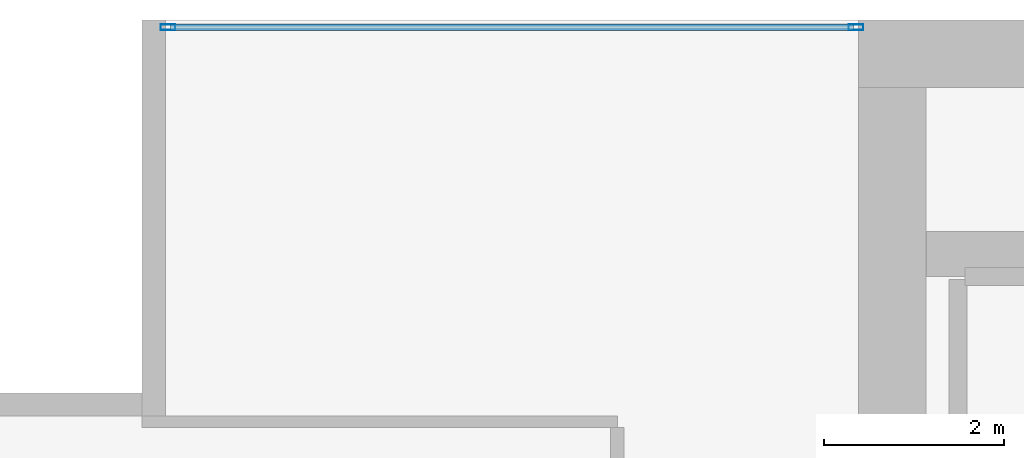
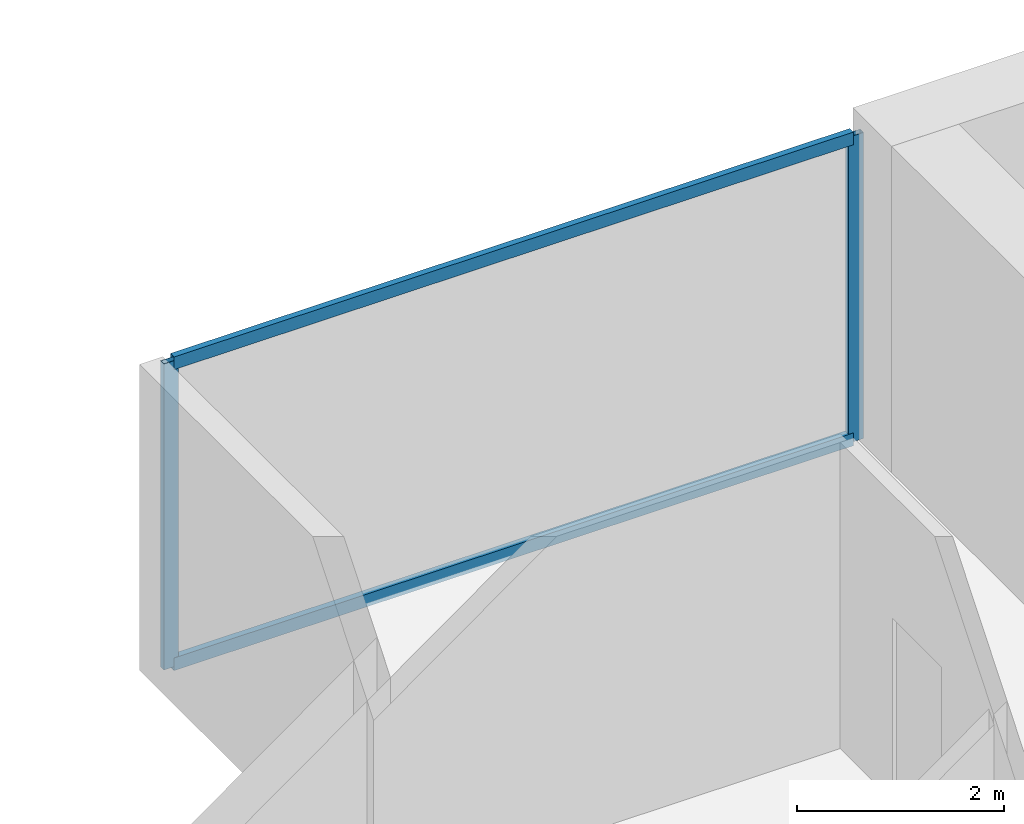
# One storey, part 22 of 34: 4 members, 1 element without a shape of its own.
"""IFC4 building model written with IfcOpenShell, lengths in metres."""

from ifc_helpers import new_model, si_unit, direction, frame, origin, origin_2d, place, context, subcontext, project, spatial, hollow_rectangle, extrude, material, layer, layer_set, material_profile, profile_set, type_object, element, aggregate, save


model = new_model("IFC4")

# Units and contexts
model_context = context("Model", 3, precision=1e-05, world=origin(), true_north=direction((0.0, 1.0)))
body_context = subcontext(model_context, "Body", "Model", "MODEL_VIEW")
ifc_project = project(units=[si_unit("LENGTHUNIT", "METRE"), si_unit("AREAUNIT", "SQUARE_METRE"), si_unit("VOLUMEUNIT", "CUBIC_METRE"), si_unit("PLANEANGLEUNIT", "RADIAN"), si_unit("MASSUNIT", "GRAM", prefix="KILO")], contexts=[model_context])

# Site, building, storey
site_placement = place(None, origin())
site = spatial("IfcSite", under=ifc_project, at=site_placement, CompositionType="ELEMENT")
building_placement = place(site_placement, origin())
building = spatial("IfcBuilding", under=site, at=building_placement, Name="Maruvema Waterfront Hotel and Observation Tower", CompositionType="ELEMENT")
storey_placement = place(building_placement, frame((0.0, 0.0, 215.949951171875)))
storey = spatial("IfcBuildingStorey", under=building, at=storey_placement, Name="L53", CompositionType="ELEMENT", Elevation=215.949951171875)

# Curtain wall, members
ifc_material_1 = material(Name="Anodised bronze aluminium and solar-control low-E IGU", Category="aluminium")
ifc_layer = layer(ifc_material_1, 0.159912109375, Name="Zone 2 Amber Inner Thermal Curtain Wall System CW-03")
ifc_layer_set = layer_set([ifc_layer], Name="Anodised bronze aluminium and solar-control low-E IGU")
curtain_wall_type = type_object("IfcCurtainWallType", Name="Zone 2 Amber Inner Thermal Curtain Wall System CW-03", PredefinedType="USERDEFINED", material=ifc_layer_set)
curtain_wall_placement = place(storey_placement, origin())
curtain_wall = element("IfcCurtainWall", 1, at=curtain_wall_placement, inside=storey, type_object=curtain_wall_type, Name="L53 Curtain Wall CW-L53-NW", ObjectType="UNITISED CURTAIN WALL", PredefinedType="USERDEFINED")
ifc_material_2 = material(Name="Anodised architectural bronze aluminium", Category="aluminium")
ifc_material_profile_1 = material_profile(ifc_material_2, hollow_rectangle(XDim=0.070068359375, YDim=0.14990234375, WallThickness=0.00390625, at=origin_2d()), Name="ALU-T70x150")
ifc_profile_set_1 = profile_set([ifc_material_profile_1], Name="Anodised architectural bronze aluminium")
member_type_1 = type_object("IfcMemberType", Name="Curtain Wall Horizontal Transom ALU-T70x150", PredefinedType="USERDEFINED", material=ifc_profile_set_1)
member_1_placement = place(storey_placement, frame((25.139892578125, 53.919921875, 0.030029296875), z_axis=(-1.0, 0.0, 0.0), x_axis=(0.0, -1.0, 0.0)))
member_1 = element("IfcMember", 2, at=member_1_placement, type_object=member_type_1, Name="CW-03 transom 1.1", ObjectType="TRANSOM", PredefinedType="USERDEFINED", context=body_context, shape_type="SweptSolid", body=[
    extrude(hollow_rectangle(XDim=0.070068359375, YDim=0.14990234375, WallThickness=0.00390625, at=origin_2d()), origin(), (0.0, 0.0, 1.0), 7.579833984375),
])
member_2_placement = place(storey_placement, frame((25.139892578125, 53.919921875, 3.580078125), z_axis=(-1.0, 0.0, 0.0), x_axis=(0.0, -1.0, 0.0)))
member_2 = element("IfcMember", 3, at=member_2_placement, type_object=member_type_1, Name="CW-03 transom 1.2", ObjectType="TRANSOM", PredefinedType="USERDEFINED", context=body_context, shape_type="SweptSolid", body=[
    extrude(hollow_rectangle(XDim=0.070068359375, YDim=0.14990234375, WallThickness=0.00390625, at=origin_2d()), origin(), (0.0, 0.0, 1.0), 7.579833984375),
])
ifc_material_3 = material(Name="Anodised architectural bronze aluminium", Category="aluminium")
ifc_material_profile_2 = material_profile(ifc_material_3, hollow_rectangle(XDim=0.06494140625, YDim=0.1650390625, WallThickness=0.00390625, at=origin_2d()), Name="ALU-M65x165")
ifc_profile_set_2 = profile_set([ifc_material_profile_2], Name="Anodised architectural bronze aluminium")
member_type_2 = type_object("IfcMemberType", Name="Curtain Wall Primary Mullion ALU-M65x165", PredefinedType="MULLION", material=ifc_profile_set_2)
member_3_placement = place(storey_placement, frame((25.169921875, 53.919921875, 0.0), z_axis=(0.0, 0.0, 1.0), x_axis=(0.0, -1.0, 0.0)))
member_3 = element("IfcMember", 4, at=member_3_placement, type_object=member_type_2, Name="CW-03 mullion 1", PredefinedType="MULLION", context=body_context, shape_type="SweptSolid", body=[
    extrude(hollow_rectangle(XDim=0.06494140625, YDim=0.1650390625, WallThickness=0.00390625, at=origin_2d()), origin(), (0.0, 0.0, 1.0), 3.610107421875),
])
member_4_placement = place(storey_placement, frame((17.530029296875, 53.919921875, 0.0), z_axis=(0.0, 0.0, 1.0), x_axis=(0.0, -1.0, 0.0)))
member_4 = element("IfcMember", 5, at=member_4_placement, type_object=member_type_2, Name="CW-03 mullion 2", PredefinedType="MULLION", context=body_context, shape_type="SweptSolid", body=[
    extrude(hollow_rectangle(XDim=0.06494140625, YDim=0.1650390625, WallThickness=0.00390625, at=origin_2d()), origin(), (0.0, 0.0, 1.0), 3.610107421875),
])
aggregate(curtain_wall, [member_3, member_4, member_1, member_2])

save(model, "model.ifc")
